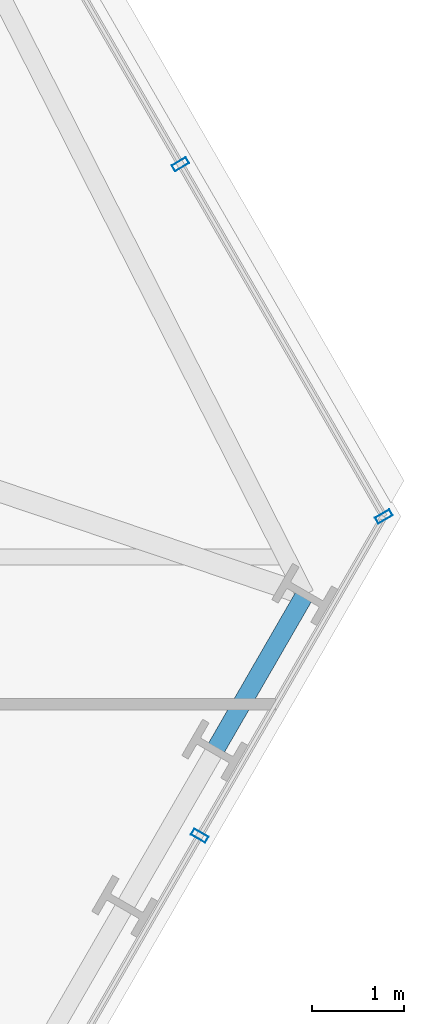
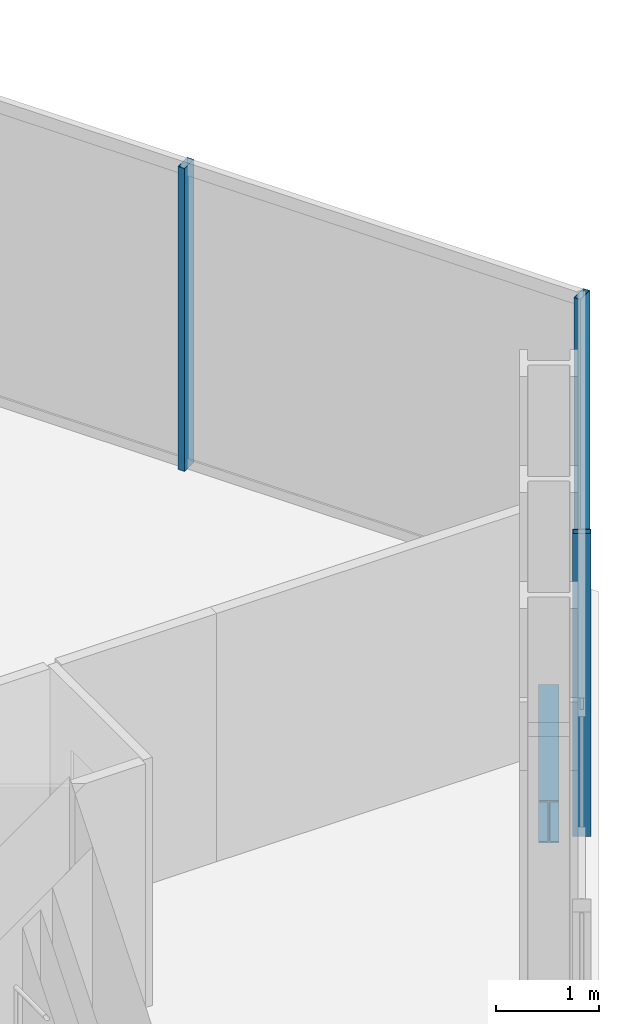
# One storey, part 16 of 32: 3 members, 1 beam, 2 elements without a shape of their own.
"""IFC4 building model written with IfcOpenShell, lengths in metres."""

from ifc_helpers import new_model, si_unit, direction, frame, origin, origin_2d, place, context, subcontext, project, spatial, hollow_rectangle, i_section, extrude, material, layer, layer_set, material_profile, profile_set, type_object, element, aggregate, save


model = new_model("IFC4")

# Units and contexts
model_context = context("Model", 3, precision=1e-05, world=origin(), true_north=direction((0.0, 1.0)))
body_context = subcontext(model_context, "Body", "Model", "MODEL_VIEW")
ifc_project = project(units=[si_unit("LENGTHUNIT", "METRE"), si_unit("AREAUNIT", "SQUARE_METRE"), si_unit("VOLUMEUNIT", "CUBIC_METRE"), si_unit("PLANEANGLEUNIT", "RADIAN"), si_unit("MASSUNIT", "GRAM", prefix="KILO")], contexts=[model_context])

# Site, building, storey
site_placement = place(None, origin())
site = spatial("IfcSite", under=ifc_project, at=site_placement, CompositionType="ELEMENT")
building_placement = place(site_placement, origin())
building = spatial("IfcBuilding", under=site, at=building_placement, Name="Ndaravel Arena Tower", CompositionType="ELEMENT")
storey_placement = place(building_placement, frame((0.0, 0.0, 47.39990234375)))
storey = spatial("IfcBuildingStorey", under=building, at=storey_placement, Name="L09", CompositionType="ELEMENT", Elevation=47.39990234375)

# Beam
ifc_material_1 = material(Name="Steel S355", Category="steel")
ifc_material_profile_1 = material_profile(ifc_material_1, i_section(OverallWidth=0.199951171875, OverallDepth=0.5, WebThickness=0.01025390625, FlangeThickness=0.01611328125, FilletRadius=0.02099609375, at=origin_2d()), Name="IPE 500")
ifc_profile_set_1 = profile_set([ifc_material_profile_1], Name="Steel S355")
beam_type = type_object("IfcBeamType", Name="BM-SPAN-IPE500", PredefinedType="SPANDREL", material=ifc_profile_set_1)
beam_placement = place(storey_placement, frame((63.656005859375, 16.4970703125, -0.469970703125), z_axis=(0.500003221507, 0.866023543838, 0.0), x_axis=(-0.866023543838, 0.500003221507, 0.0)))
element("IfcBeam", 1, at=beam_placement, inside=storey, type_object=beam_type, Name="L09 Perimeter Spandrel Beam SP-08", PredefinedType="SPANDREL", context=body_context, shape_type="SweptSolid", body=[
    extrude(i_section(OverallWidth=0.199951171875, OverallDepth=0.5, WebThickness=0.01025390625, FlangeThickness=0.01611328125, FilletRadius=0.02099609375, at=origin_2d()), origin(), (0.0, 0.0, 1.0), 1.95703125),
])

# Curtain wall, member
ifc_material_2 = material(Name="Aluminium", Category="aluminium")
ifc_layer_1 = layer(ifc_material_2, 0.179931640625)
ifc_layer_set_1 = layer_set([ifc_layer_1], Name="Aluminium")
curtain_wall_type_1 = type_object("IfcCurtainWallType", Name="CW-SYS-01", PredefinedType="NOTDEFINED", material=ifc_layer_set_1)
curtain_wall_1_placement = place(storey_placement, origin())
curtain_wall_1 = element("IfcCurtainWall", 2, at=curtain_wall_1_placement, inside=storey, type_object=curtain_wall_type_1, Name="L09 Faceted Crystal Curtain Wall CW-L09-E02", PredefinedType="NOTDEFINED")
ifc_material_3 = material(Name="Aluminium", Category="aluminium")
ifc_material_profile_2 = material_profile(ifc_material_3, hollow_rectangle(XDim=0.074951171875, YDim=0.179931640625, WallThickness=0.00390625, at=origin_2d()), Name="CW MULLION 75x180x4")
ifc_profile_set_2 = profile_set([ifc_material_profile_2], Name="Aluminium")
member_type = type_object("IfcMemberType", Name="MEM-CW-MUL180", PredefinedType="MULLION", material=ifc_profile_set_2)
member_1_placement = place(storey_placement, frame((63.489990234375, 15.569580078125, 0.0), z_axis=(0.0, 0.0, 1.0), x_axis=(0.5, 0.866025403784, 0.0)))
member_1 = element("IfcMember", 3, at=member_1_placement, type_object=member_type, Name="CW-L09-E02 Mullion 03", PredefinedType="MULLION", context=body_context, shape_type="SweptSolid", body=[
    extrude(hollow_rectangle(XDim=0.074951171875, YDim=0.179931640625, WallThickness=0.00390625, at=origin_2d()), origin(), (0.0, 0.0, 1.0), 3.580078125),
])
aggregate(curtain_wall_1, [member_1])

# Curtain wall, members
ifc_material_4 = material(Name="Aluminium", Category="aluminium")
ifc_layer_2 = layer(ifc_material_4, 0.179931640625)
ifc_layer_set_2 = layer_set([ifc_layer_2], Name="Aluminium")
curtain_wall_type_2 = type_object("IfcCurtainWallType", Name="CW-SYS-03", PredefinedType="NOTDEFINED", material=ifc_layer_set_2)
curtain_wall_2_placement = place(storey_placement, origin())
curtain_wall_2 = element("IfcCurtainWall", 4, at=curtain_wall_2_placement, inside=storey, type_object=curtain_wall_type_2, Name="L09 Faceted Crystal Curtain Wall CW-L09-E03", PredefinedType="NOTDEFINED")
member_2_placement = place(storey_placement, frame((65.4931640625, 19.03955078125, 0.0), z_axis=(0.0, 0.0, 1.0), x_axis=(-0.5, 0.866025403784, 0.0)))
member_2 = element("IfcMember", 5, at=member_2_placement, type_object=member_type, Name="CW-L09-E03 Mullion 00", PredefinedType="MULLION", context=body_context, shape_type="SweptSolid", body=[
    extrude(hollow_rectangle(XDim=0.074951171875, YDim=0.179931640625, WallThickness=0.00390625, at=origin_2d()), origin(), (0.0, 0.0, 1.0), 3.580078125),
])
member_3_placement = place(storey_placement, frame((63.28173828125, 22.869873046875, 0.0), z_axis=(0.0, 0.0, 1.0), x_axis=(-0.5, 0.866025403784, 0.0)))
member_3 = element("IfcMember", 6, at=member_3_placement, type_object=member_type, Name="CW-L09-E03 Mullion 01", PredefinedType="MULLION", context=body_context, shape_type="SweptSolid", body=[
    extrude(hollow_rectangle(XDim=0.074951171875, YDim=0.179931640625, WallThickness=0.00390625, at=origin_2d()), origin(), (0.0, 0.0, 1.0), 3.580078125),
])
aggregate(curtain_wall_2, [member_2, member_3])

save(model, "model.ifc")
